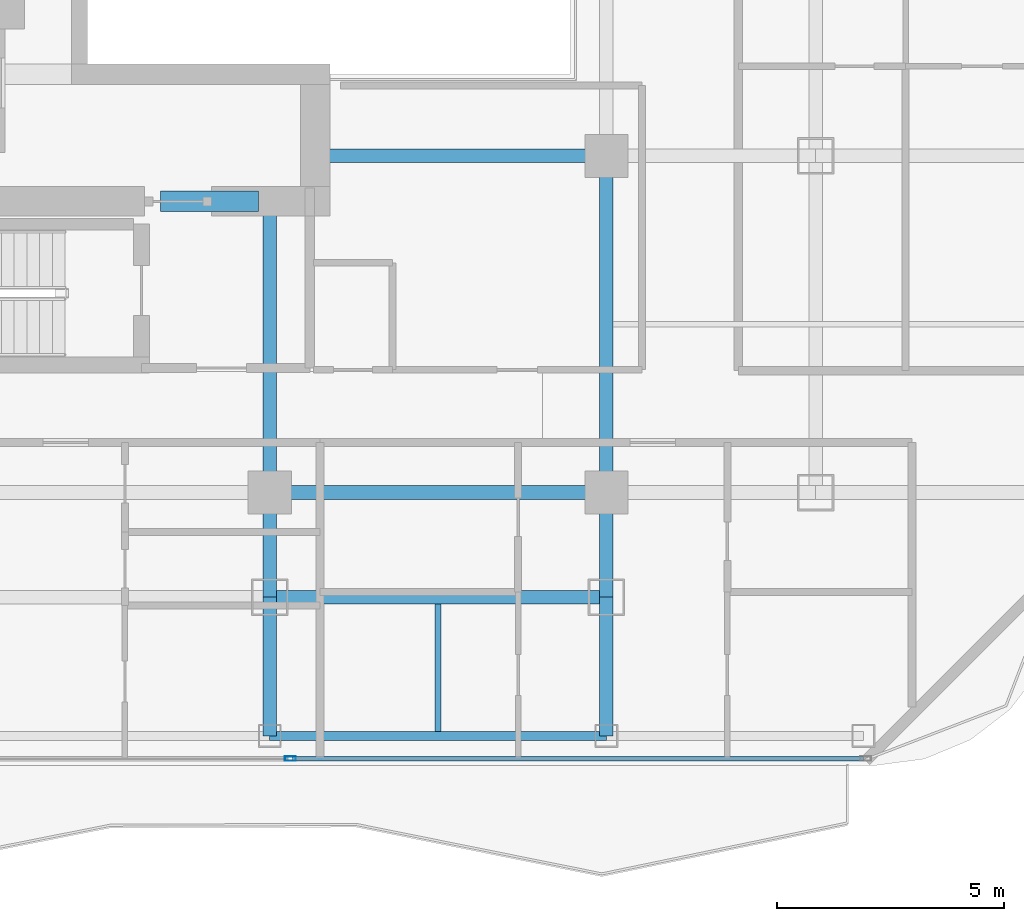
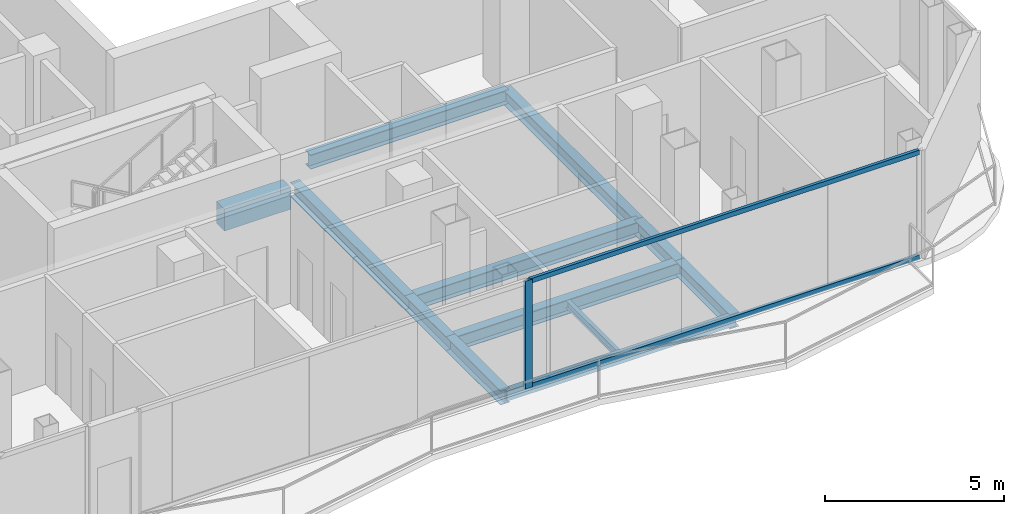
# One storey, part 4 of 23: 12 beams, 3 members, 1 element without a shape of its own.
"""IFC4 building model written with IfcOpenShell, lengths in metres."""

from ifc_helpers import new_model, si_unit, direction, frame, origin, origin_2d, place, context, subcontext, project, spatial, rectangle, hollow_rectangle, i_section, extrude, material, layer, layer_set, material_profile, profile_set, type_object, element, aggregate, save


model = new_model("IFC4")

# Units and contexts
model_context = context("Model", 3, precision=1e-05, world=origin(), true_north=direction((0.0, 1.0)))
body_context = subcontext(model_context, "Body", "Model", "MODEL_VIEW")
ifc_project = project(units=[si_unit("LENGTHUNIT", "METRE"), si_unit("AREAUNIT", "SQUARE_METRE"), si_unit("VOLUMEUNIT", "CUBIC_METRE"), si_unit("PLANEANGLEUNIT", "RADIAN"), si_unit("MASSUNIT", "GRAM", prefix="KILO")], contexts=[model_context])

# Site, building, storey
site_placement = place(None, origin())
site = spatial("IfcSite", under=ifc_project, at=site_placement, CompositionType="ELEMENT")
building_placement = place(site_placement, origin())
building = spatial("IfcBuilding", under=site, at=building_placement, Name="Khorvyn Point Tower", CompositionType="ELEMENT")
storey_placement = place(building_placement, frame((0.0, 0.0, 274.199951171875)))
storey = spatial("IfcBuildingStorey", under=building, at=storey_placement, Name="L67", CompositionType="ELEMENT", Elevation=274.199951171875)

# Curtain wall, members
ifc_material_1 = material(Name="Anodised aluminium 6063-T6 and laminated Low-E glass", Category="aluminium")
ifc_layer = layer(ifc_material_1, 0.18994140625)
ifc_layer_set = layer_set([ifc_layer], Name="Stick-Built High-Wind Curtain Wall CW-SYS-04")
curtain_wall_type = type_object("IfcCurtainWallType", Name="Stick-Built High-Wind Curtain Wall CW-SYS-04", PredefinedType="NOTDEFINED", material=ifc_layer_set)
curtain_wall_placement = place(storey_placement, origin())
curtain_wall = element("IfcCurtainWall", 1, at=curtain_wall_placement, inside=storey, type_object=curtain_wall_type, Name="Curtain Wall", PredefinedType="NOTDEFINED")
ifc_material_2 = material(Name="Anodised aluminium 6063-T6", Category="aluminium")
ifc_material_profile_1 = material_profile(ifc_material_2, hollow_rectangle(XDim=0.10009765625, YDim=0.239990234375, WallThickness=0.0048828125, at=origin_2d()))
ifc_profile_set_1 = profile_set([ifc_material_profile_1], Name="Anodised aluminium 6063-T6 ALU-MUL-100x240")
member_type_1 = type_object("IfcMemberType", Name="Anodised Aluminium 6063-T6 Mullion ALU-MUL-100x240", PredefinedType="MULLION", material=ifc_profile_set_1)
member_1_placement = place(storey_placement, frame((7.853515625, -20.64990234375, 0.0), z_axis=(0.0, 0.0, 1.0), x_axis=(0.0, -1.0, 0.0)))
member_1 = element("IfcMember", 2, at=member_1_placement, type_object=member_type_1, Name="Transom", PredefinedType="MULLION", context=body_context, shape_type="SweptSolid", body=[
    extrude(hollow_rectangle(XDim=0.10009765625, YDim=0.239990234375, WallThickness=0.0048828125, at=origin_2d()), origin(), (0.0, 0.0, 1.0), 3.679931640625),
])
ifc_material_profile_2 = material_profile(ifc_material_2, hollow_rectangle(XDim=0.10009765625, YDim=0.159912109375, WallThickness=0.00439453125, at=origin_2d()))
ifc_profile_set_2 = profile_set([ifc_material_profile_2], Name="Anodised aluminium 6063-T6 ALU-TRN-100x160")
member_type_2 = type_object("IfcMemberType", Name="Anodised Aluminium 6063-T6 Transom ALU-TRN-100x160", PredefinedType="USERDEFINED", material=ifc_profile_set_2)
member_2_placement = place(storey_placement, frame((20.449951171875, -20.64990234375, 0.050048828125), z_axis=(-1.0, 0.0, 0.0), x_axis=(0.0, -1.0, 0.0)))
member_2 = element("IfcMember", 3, at=member_2_placement, type_object=member_type_2, Name="Transom", ObjectType="TRANSOM", PredefinedType="USERDEFINED", context=body_context, shape_type="SweptSolid", body=[
    extrude(hollow_rectangle(XDim=0.10009765625, YDim=0.159912109375, WallThickness=0.00439453125, at=origin_2d()), origin(), (0.0, 0.0, 1.0), 12.54638671875),
])
member_3_placement = place(storey_placement, frame((20.449951171875, -20.64990234375, 3.630126953125), z_axis=(-1.0, 0.0, 0.0), x_axis=(0.0, -1.0, 0.0)))
member_3 = element("IfcMember", 4, at=member_3_placement, type_object=member_type_2, Name="Transom", ObjectType="TRANSOM", PredefinedType="USERDEFINED", context=body_context, shape_type="SweptSolid", body=[
    extrude(hollow_rectangle(XDim=0.10009765625, YDim=0.159912109375, WallThickness=0.00439453125, at=origin_2d()), origin(), (0.0, 0.0, 1.0), 12.54638671875),
])
aggregate(curtain_wall, [member_1, member_2, member_3])

# Beams
ifc_material_3 = material(Name="Concrete C40/50", Category="concrete")
ifc_material_profile_3 = material_profile(ifc_material_3, rectangle(XDim=0.449951171875, YDim=0.75, at=origin_2d()))
ifc_profile_set_3 = profile_set([ifc_material_profile_3], Name="Concrete C40/50 RC450x750")
beam_type_1 = type_object("IfcBeamType", Name="Concrete C40/50 Beam RC450x750", PredefinedType="BEAM", material=ifc_profile_set_3)
beam_1_placement = place(storey_placement, frame((5.0, -8.39990234375, -0.594970703125), z_axis=(1.0, 0.0, 0.0), x_axis=(0.0, 1.0, 0.0)))
element("IfcBeam", 5, at=beam_1_placement, inside=storey, type_object=beam_type_1, Name="L67 Core Southeast Portal Coupling Beam", PredefinedType="BEAM", context=body_context, shape_type="SweptSolid", body=[
    extrude(rectangle(XDim=0.449951171875, YDim=0.75, at=origin_2d()), origin(), (0.0, 0.0, 1.0), 2.14990234375),
])
ifc_material_4 = material(Name="Steel S355", Category="steel")
ifc_material_profile_4 = material_profile(ifc_material_4, i_section(OverallWidth=0.125, OverallDepth=0.25, WebThickness=0.006103515625, FlangeThickness=0.009033203125, at=origin_2d()))
ifc_profile_set_4 = profile_set([ifc_material_profile_4], Name="Steel S355 H250x125x6x9")
beam_type_2 = type_object("IfcBeamType", Name="Steel S355 Joist H250x125x6x9", PredefinedType="JOIST", material=ifc_profile_set_4)
beam_2_placement = place(storey_placement, frame((11.10009765625, -20.050048828125, -0.344970703125), z_axis=(0.0, 1.0, 0.0), x_axis=(-1.0, 0.0, 0.0)))
element("IfcBeam", 6, at=beam_2_placement, inside=storey, type_object=beam_type_2, Name="Beam", PredefinedType="JOIST", context=body_context, shape_type="SweptSolid", body=[
    extrude(i_section(OverallWidth=0.125, OverallDepth=0.25, WebThickness=0.006103515625, FlangeThickness=0.009033203125, at=origin_2d()), origin(), (0.0, 0.0, 1.0), 2.800048828125),
])
ifc_material_profile_5 = material_profile(ifc_material_4, i_section(OverallWidth=0.300048828125, OverallDepth=0.488037109375, WebThickness=0.010986328125, FlangeThickness=0.01806640625, at=origin_2d()))
ifc_profile_set_5 = profile_set([ifc_material_profile_5], Name="Steel S355 H488x300x11x18")
beam_type_3 = type_object("IfcBeamType", Name="Steel S355 Spandrel H488x300x11x18", PredefinedType="SPANDREL", material=ifc_profile_set_5)
beam_3_placement = place(storey_placement, frame((7.39990234375, -14.800048828125, -0.4638671875), z_axis=(1.0, 0.0, 0.0), x_axis=(0.0, 1.0, 0.0)))
element("IfcBeam", 7, at=beam_3_placement, inside=storey, type_object=beam_type_3, Name="Beam", PredefinedType="SPANDREL", context=body_context, shape_type="SweptSolid", body=[
    extrude(i_section(OverallWidth=0.300048828125, OverallDepth=0.488037109375, WebThickness=0.010986328125, FlangeThickness=0.01806640625, at=origin_2d()), origin(), (0.0, 0.0, 1.0), 7.400146484375),
])
beam_4_placement = place(storey_placement, frame((8.39990234375, -7.39990234375, -0.4638671875), z_axis=(1.0, 0.0, 0.0), x_axis=(0.0, 1.0, 0.0)))
element("IfcBeam", 8, at=beam_4_placement, inside=storey, type_object=beam_type_3, Name="Beam", PredefinedType="SPANDREL", context=body_context, shape_type="SweptSolid", body=[
    extrude(i_section(OverallWidth=0.300048828125, OverallDepth=0.488037109375, WebThickness=0.010986328125, FlangeThickness=0.01806640625, at=origin_2d()), origin(), (0.0, 0.0, 1.0), 6.400146484375),
])
beam_5_placement = place(storey_placement, frame((7.39990234375, -17.10009765625, -0.4638671875), z_axis=(1.0, 0.0, 0.0), x_axis=(0.0, 1.0, 0.0)))
element("IfcBeam", 9, at=beam_5_placement, inside=storey, type_object=beam_type_3, Name="Beam", PredefinedType="SPANDREL", context=body_context, shape_type="SweptSolid", body=[
    extrude(i_section(OverallWidth=0.300048828125, OverallDepth=0.488037109375, WebThickness=0.010986328125, FlangeThickness=0.01806640625, at=origin_2d()), origin(), (0.0, 0.0, 1.0), 7.400146484375),
])
beam_6_placement = place(storey_placement, frame((14.800048828125, -20.14990234375, -0.4638671875), z_axis=(0.0, 1.0, 0.0), x_axis=(-1.0, 0.0, 0.0)))
element("IfcBeam", 10, at=beam_6_placement, inside=storey, type_object=beam_type_3, Name="Beam", PredefinedType="SPANDREL", context=body_context, shape_type="SweptSolid", body=[
    extrude(i_section(OverallWidth=0.300048828125, OverallDepth=0.488037109375, WebThickness=0.010986328125, FlangeThickness=0.01806640625, at=origin_2d()), origin(), (0.0, 0.0, 1.0), 3.0498046875),
])
beam_7_placement = place(storey_placement, frame((14.800048828125, -17.10009765625, -0.4638671875), z_axis=(0.0, 1.0, 0.0), x_axis=(-1.0, 0.0, 0.0)))
element("IfcBeam", 11, at=beam_7_placement, inside=storey, type_object=beam_type_3, Name="Beam", PredefinedType="SPANDREL", context=body_context, shape_type="SweptSolid", body=[
    extrude(i_section(OverallWidth=0.300048828125, OverallDepth=0.488037109375, WebThickness=0.010986328125, FlangeThickness=0.01806640625, at=origin_2d()), origin(), (0.0, 0.0, 1.0), 2.300048828125),
])
beam_8_placement = place(storey_placement, frame((14.800048828125, -14.800048828125, -0.4638671875), z_axis=(0.0, 1.0, 0.0), x_axis=(-1.0, 0.0, 0.0)))
element("IfcBeam", 12, at=beam_8_placement, inside=storey, type_object=beam_type_3, Name="Beam", PredefinedType="SPANDREL", context=body_context, shape_type="SweptSolid", body=[
    extrude(i_section(OverallWidth=0.300048828125, OverallDepth=0.488037109375, WebThickness=0.010986328125, FlangeThickness=0.01806640625, at=origin_2d()), origin(), (0.0, 0.0, 1.0), 7.400146484375),
])
beam_9_placement = place(storey_placement, frame((7.39990234375, -20.14990234375, -0.4638671875), z_axis=(0.0, 1.0, 0.0), x_axis=(-1.0, 0.0, 0.0)))
element("IfcBeam", 13, at=beam_9_placement, inside=storey, type_object=beam_type_3, Name="Beam", PredefinedType="SPANDREL", context=body_context, shape_type="SweptSolid", body=[
    extrude(i_section(OverallWidth=0.300048828125, OverallDepth=0.488037109375, WebThickness=0.010986328125, FlangeThickness=0.01806640625, at=origin_2d()), origin(), (0.0, 0.0, 1.0), 3.0498046875),
])
beam_10_placement = place(storey_placement, frame((7.39990234375, -17.10009765625, -0.4638671875), z_axis=(0.0, 1.0, 0.0), x_axis=(-1.0, 0.0, 0.0)))
element("IfcBeam", 14, at=beam_10_placement, inside=storey, type_object=beam_type_3, Name="Beam", PredefinedType="SPANDREL", context=body_context, shape_type="SweptSolid", body=[
    extrude(i_section(OverallWidth=0.300048828125, OverallDepth=0.488037109375, WebThickness=0.010986328125, FlangeThickness=0.01806640625, at=origin_2d()), origin(), (0.0, 0.0, 1.0), 2.300048828125),
])
beam_11_placement = place(storey_placement, frame((7.39990234375, -14.800048828125, -0.4638671875), z_axis=(0.0, 1.0, 0.0), x_axis=(-1.0, 0.0, 0.0)))
element("IfcBeam", 15, at=beam_11_placement, inside=storey, type_object=beam_type_3, Name="Beam", PredefinedType="SPANDREL", context=body_context, shape_type="SweptSolid", body=[
    extrude(i_section(OverallWidth=0.300048828125, OverallDepth=0.488037109375, WebThickness=0.010986328125, FlangeThickness=0.01806640625, at=origin_2d()), origin(), (0.0, 0.0, 1.0), 6.400146484375),
])
ifc_material_profile_6 = material_profile(ifc_material_4, hollow_rectangle(XDim=0.199951171875, YDim=0.35009765625, WallThickness=0.013916015625, at=origin_2d()))
ifc_profile_set_6 = profile_set([ifc_material_profile_6], Name="Steel S355 RHS350x200x14")
beam_type_4 = type_object("IfcBeamType", Name="Steel S355 Spandrel RHS350x200x14", PredefinedType="SPANDREL", material=ifc_profile_set_6)
beam_12_placement = place(storey_placement, frame((7.39990234375, -20.14990234375, -0.39501953125), z_axis=(1.0, 0.0, 0.0), x_axis=(0.0, 1.0, 0.0)))
element("IfcBeam", 16, at=beam_12_placement, inside=storey, type_object=beam_type_4, Name="Beam", PredefinedType="SPANDREL", context=body_context, shape_type="SweptSolid", body=[
    extrude(hollow_rectangle(XDim=0.199951171875, YDim=0.35009765625, WallThickness=0.013916015625, at=origin_2d()), origin(), (0.0, 0.0, 1.0), 7.400146484375),
])

save(model, "model.ifc")
